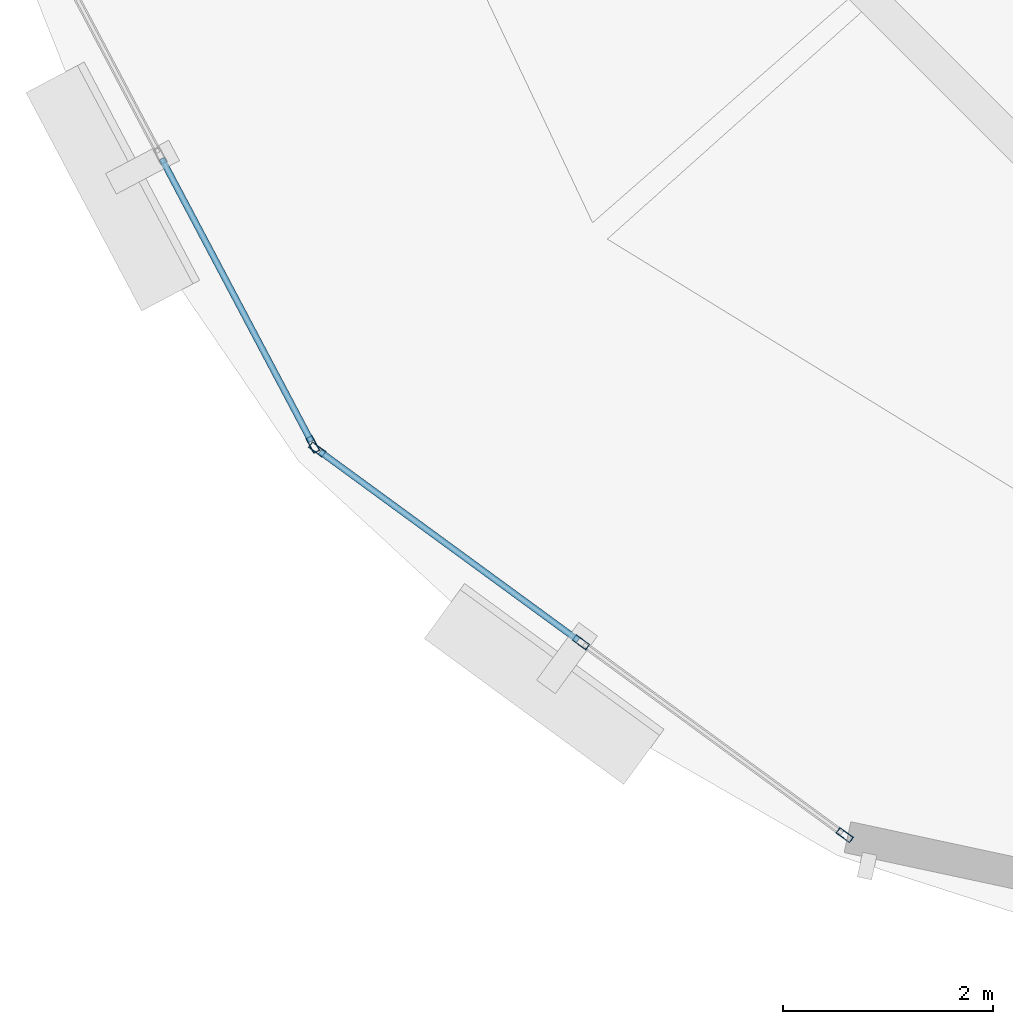
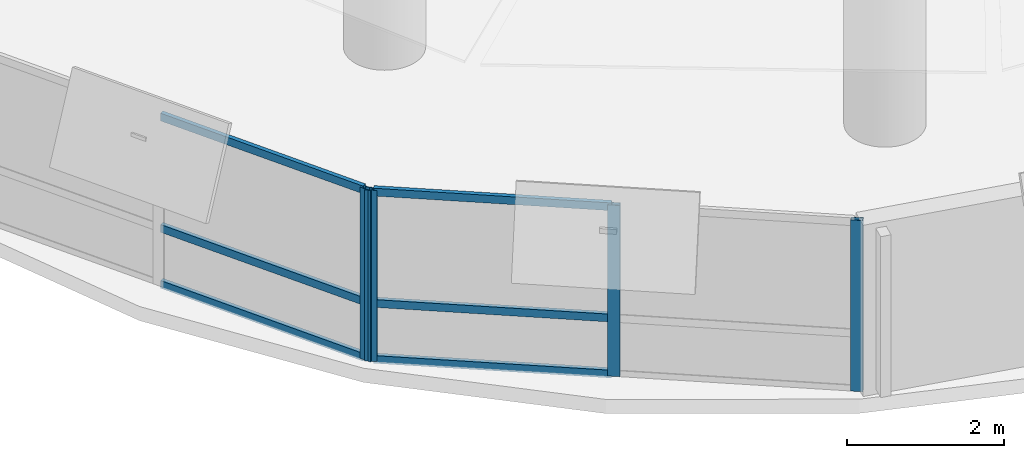
# One storey, part 2 of 12: 10 members, 2 elements without a shape of their own.
"""IFC4 building model written with IfcOpenShell, lengths in metres."""

from ifc_helpers import new_model, si_unit, direction, frame, origin, origin_2d, place, context, subcontext, project, spatial, hollow_rectangle, extrude, material, layer, layer_set, material_profile, profile_set, type_object, element, aggregate, save


model = new_model("IFC4")

# Units and contexts
model_context = context("Model", 3, precision=1e-05, world=origin(), true_north=direction((0.0, 1.0)))
body_context = subcontext(model_context, "Body", "Model", "MODEL_VIEW")
ifc_project = project(units=[si_unit("LENGTHUNIT", "METRE"), si_unit("AREAUNIT", "SQUARE_METRE"), si_unit("VOLUMEUNIT", "CUBIC_METRE"), si_unit("PLANEANGLEUNIT", "RADIAN"), si_unit("MASSUNIT", "GRAM", prefix="KILO"), si_unit("THERMODYNAMICTEMPERATUREUNIT", "KELVIN"), si_unit("POWERUNIT", "WATT")], contexts=[model_context])

# Site, building, storey
site_placement = place(None, origin())
site = spatial("IfcSite", under=ifc_project, at=site_placement, CompositionType="ELEMENT")
building_placement = place(site_placement, origin())
building = spatial("IfcBuilding", under=site, at=building_placement, Name="Ocrelia Relay Tower", CompositionType="ELEMENT")
storey_placement = place(building_placement, frame((0.0, 0.0, 202.39990234375)))
storey = spatial("IfcBuildingStorey", under=building, at=storey_placement, Name="L49", CompositionType="ELEMENT", Elevation=202.39990234375)

# Curtain wall, member
ifc_material_1 = material(Name="Aluminium and solar-control low-E glass", Category="aluminium")
ifc_layer = layer(ifc_material_1, 0.179931640625, Name="Aluminium and solar-control low-E glass")
ifc_layer_set = layer_set([ifc_layer], Name="Aluminium and solar-control low-E glass")
curtain_wall_type = type_object("IfcCurtainWallType", Name="CW-SYS-Z3-CLOU", PredefinedType="NOTDEFINED", material=ifc_layer_set)
curtain_wall_1_placement = place(storey_placement, origin())
curtain_wall_1 = element("IfcCurtainWall", 1, at=curtain_wall_1_placement, inside=storey, type_object=curtain_wall_type, Name="L49 Elliptical Tower Curtain Wall Bay 09", PredefinedType="NOTDEFINED")
ifc_material_2 = material(Name="Anodised bronze aluminium", Category="aluminium")
ifc_material_profile_1 = material_profile(ifc_material_2, hollow_rectangle(XDim=0.06494140625, YDim=0.159912109375, WallThickness=0.0048828125, at=origin_2d()), Name="CW-MUL-160x65")
ifc_profile_set_1 = profile_set([ifc_material_profile_1], Name="Anodised bronze aluminium")
member_type_1 = type_object("IfcMemberType", Name="CW-SYS-Z3-CLOU-MUL", PredefinedType="MULLION", material=ifc_profile_set_1)
member_1_placement = place(storey_placement, frame((16.284423828125, 10.72314453125, 0.0), z_axis=(0.0, 0.0, 1.0), x_axis=(0.884008499684, 0.467470825278, 0.0)))
member_1 = element("IfcMember", 2, at=member_1_placement, type_object=member_type_1, Name="CW-Z3 mullion 3", PredefinedType="MULLION", context=body_context, shape_type="SweptSolid", body=[
    extrude(hollow_rectangle(XDim=0.06494140625, YDim=0.159912109375, WallThickness=0.0048828125, at=origin_2d()), origin(), (0.0, 0.0, 1.0), 2.66015625),
])

# Curtain wall, members
curtain_wall_2_placement = place(storey_placement, origin())
curtain_wall_2 = element("IfcCurtainWall", 3, at=curtain_wall_2_placement, inside=storey, type_object=curtain_wall_type, Name="L49 Elliptical Tower Curtain Wall Bay 10", PredefinedType="NOTDEFINED")
member_2_placement = place(storey_placement, frame((16.325927734375, 10.67529296875, 0.0), z_axis=(0.0, 0.0, 1.0), x_axis=(0.590180994977, 0.807270953997, 0.0)))
member_2 = element("IfcMember", 4, at=member_2_placement, type_object=member_type_1, Name="CW-Z3 mullion 1", PredefinedType="MULLION", context=body_context, shape_type="SweptSolid", body=[
    extrude(hollow_rectangle(XDim=0.06494140625, YDim=0.159912109375, WallThickness=0.0048828125, at=origin_2d()), origin(), (0.0, 0.0, 1.0), 2.66015625),
])
member_3_placement = place(storey_placement, frame((18.835693359375, 8.840576171875, 0.0), z_axis=(0.0, 0.0, 1.0), x_axis=(0.590180994977, 0.807270953997, 0.0)))
member_3 = element("IfcMember", 5, at=member_3_placement, type_object=member_type_1, Name="CW-Z3 mullion 2", PredefinedType="MULLION", context=body_context, shape_type="SweptSolid", body=[
    extrude(hollow_rectangle(XDim=0.06494140625, YDim=0.159912109375, WallThickness=0.0048828125, at=origin_2d()), origin(), (0.0, 0.0, 1.0), 2.66015625),
])
member_4_placement = place(storey_placement, frame((21.34521484375, 7.005859375, 0.0), z_axis=(0.0, 0.0, 1.0), x_axis=(0.590180994977, 0.807270953997, 0.0)))
member_4 = element("IfcMember", 6, at=member_4_placement, type_object=member_type_1, Name="CW-Z3 mullion 3", PredefinedType="MULLION", context=body_context, shape_type="SweptSolid", body=[
    extrude(hollow_rectangle(XDim=0.06494140625, YDim=0.159912109375, WallThickness=0.0048828125, at=origin_2d()), origin(), (0.0, 0.0, 1.0), 2.66015625),
])

# Member
ifc_material_profile_2 = material_profile(ifc_material_2, hollow_rectangle(XDim=0.06005859375, YDim=0.1201171875, WallThickness=0.0048828125, at=origin_2d()), Name="CW-TRN-120x60")
ifc_profile_set_2 = profile_set([ifc_material_profile_2], Name="Anodised bronze aluminium")
member_type_2 = type_object("IfcMemberType", Name="CW-SYS-Z3-CLOU-TRN", PredefinedType="USERDEFINED", material=ifc_profile_set_2)
member_5_placement = place(storey_placement, frame((14.846435546875, 13.44287109375, 0.030029296875), z_axis=(0.467438075131, -0.88402581745, 0.0), x_axis=(0.88402581745, 0.467438075131, 0.0)))
member_5 = element("IfcMember", 7, at=member_5_placement, type_object=member_type_2, Name="CW-Z3 transom 2.1", ObjectType="TRANSOM", PredefinedType="USERDEFINED", context=body_context, shape_type="SweptSolid", body=[
    extrude(hollow_rectangle(XDim=0.06005859375, YDim=0.1201171875, WallThickness=0.0048828125, at=origin_2d()), origin(), (0.0, 0.0, 1.0), 3.0439453125),
])

member_6_placement = place(storey_placement, frame((14.846435546875, 13.44287109375, 0.900146484375), z_axis=(0.467438075131, -0.88402581745, 0.0), x_axis=(0.88402581745, 0.467438075131, 0.0)))
member_6 = element("IfcMember", 8, at=member_6_placement, type_object=member_type_2, Name="CW-Z3 transom 2.2", ObjectType="TRANSOM", PredefinedType="USERDEFINED", context=body_context, shape_type="SweptSolid", body=[
    extrude(hollow_rectangle(XDim=0.06005859375, YDim=0.1201171875, WallThickness=0.0048828125, at=origin_2d()), origin(), (0.0, 0.0, 1.0), 3.0439453125),
])

member_7_placement = place(storey_placement, frame((14.846435546875, 13.44287109375, 2.630126953125), z_axis=(0.467438075131, -0.88402581745, 0.0), x_axis=(0.88402581745, 0.467438075131, 0.0)))
member_7 = element("IfcMember", 9, at=member_7_placement, type_object=member_type_2, Name="CW-Z3 transom 2.3", ObjectType="TRANSOM", PredefinedType="USERDEFINED", context=body_context, shape_type="SweptSolid", body=[
    extrude(hollow_rectangle(XDim=0.06005859375, YDim=0.1201171875, WallThickness=0.0048828125, at=origin_2d()), origin(), (0.0, 0.0, 1.0), 3.0439453125),
])

aggregate(curtain_wall_1, [member_1, member_5, member_6, member_7])

member_8_placement = place(storey_placement, frame((16.35205078125, 10.65625, 0.030029296875), z_axis=(0.807245618162, -0.590215648689, 0.0), x_axis=(0.590215648689, 0.807245618162, 0.0)))
member_8 = element("IfcMember", 10, at=member_8_placement, type_object=member_type_2, Name="CW-Z3 transom 1.1", ObjectType="TRANSOM", PredefinedType="USERDEFINED", context=body_context, shape_type="SweptSolid", body=[
    extrude(hollow_rectangle(XDim=0.06005859375, YDim=0.1201171875, WallThickness=0.0048828125, at=origin_2d()), origin(), (0.0, 0.0, 1.0), 3.0439453125),
])

member_9_placement = place(storey_placement, frame((16.35205078125, 10.65625, 0.900146484375), z_axis=(0.807245618162, -0.590215648689, 0.0), x_axis=(0.590215648689, 0.807245618162, 0.0)))
member_9 = element("IfcMember", 11, at=member_9_placement, type_object=member_type_2, Name="CW-Z3 transom 1.2", ObjectType="TRANSOM", PredefinedType="USERDEFINED", context=body_context, shape_type="SweptSolid", body=[
    extrude(hollow_rectangle(XDim=0.06005859375, YDim=0.1201171875, WallThickness=0.0048828125, at=origin_2d()), origin(), (0.0, 0.0, 1.0), 3.0439453125),
])

member_10_placement = place(storey_placement, frame((16.35205078125, 10.65625, 2.630126953125), z_axis=(0.807245618162, -0.590215648689, 0.0), x_axis=(0.590215648689, 0.807245618162, 0.0)))
member_10 = element("IfcMember", 12, at=member_10_placement, type_object=member_type_2, Name="CW-Z3 transom 1.3", ObjectType="TRANSOM", PredefinedType="USERDEFINED", context=body_context, shape_type="SweptSolid", body=[
    extrude(hollow_rectangle(XDim=0.06005859375, YDim=0.1201171875, WallThickness=0.0048828125, at=origin_2d()), origin(), (0.0, 0.0, 1.0), 3.0439453125),
])

aggregate(curtain_wall_2, [member_2, member_3, member_4, member_8, member_9, member_10])

save(model, "model.ifc")
